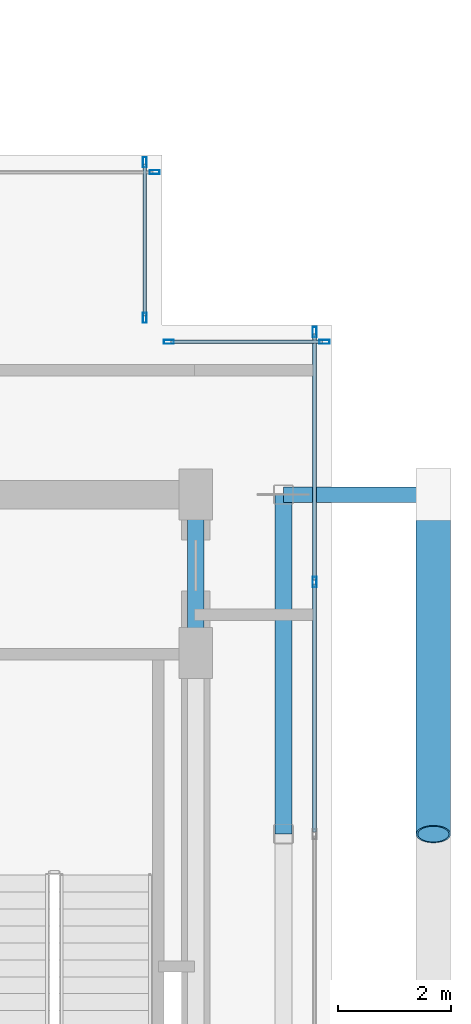
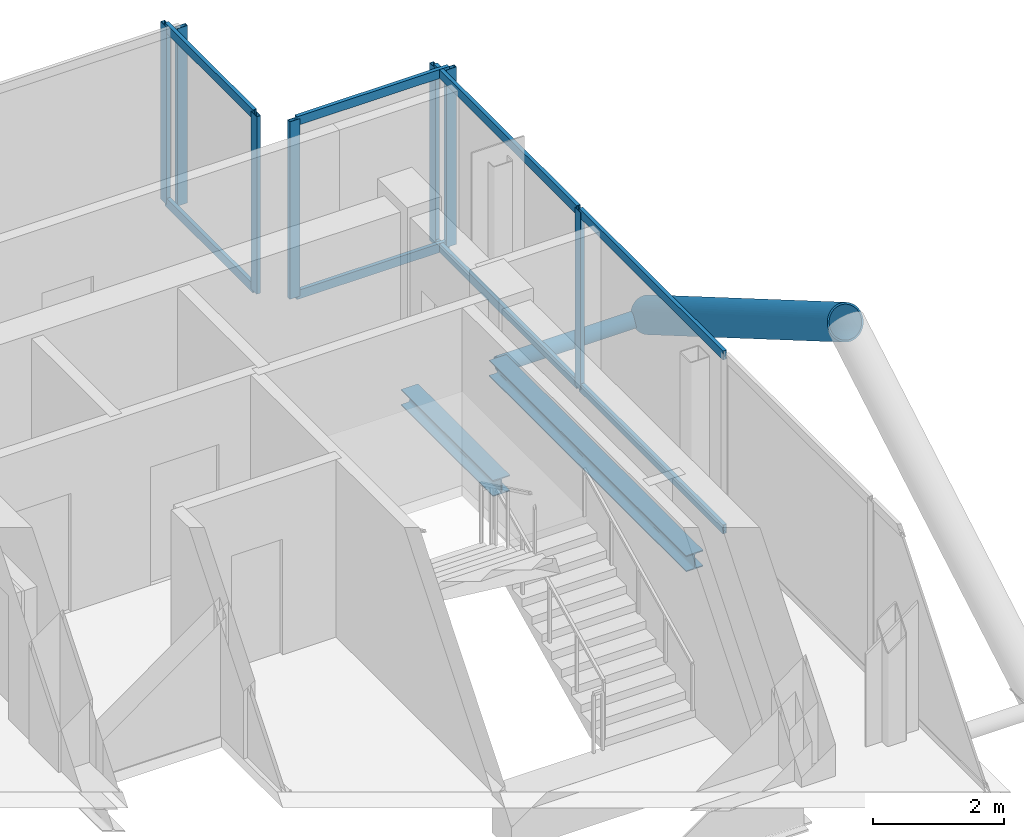
# One storey, part 12 of 18: 17 members, 2 beams, 4 elements without a shape of their own.
"""IFC4 building model written with IfcOpenShell, lengths in metres."""

from ifc_helpers import new_model, si_unit, direction, frame, origin, origin_2d, place, context, subcontext, project, spatial, hollow_rectangle, hollow_circle, i_section, extrude, material, layer, layer_set, material_profile, profile_set, type_object, element, aggregate, save


model = new_model("IFC4")

# Units and contexts
model_context = context("Model", 3, precision=1e-05, world=origin(), true_north=direction((0.0, 1.0)))
body_context = subcontext(model_context, "Body", "Model", "MODEL_VIEW")
ifc_project = project(units=[si_unit("LENGTHUNIT", "METRE"), si_unit("AREAUNIT", "SQUARE_METRE"), si_unit("VOLUMEUNIT", "CUBIC_METRE"), si_unit("PLANEANGLEUNIT", "RADIAN"), si_unit("MASSUNIT", "GRAM", prefix="KILO"), si_unit("THERMODYNAMICTEMPERATUREUNIT", "KELVIN"), si_unit("POWERUNIT", "WATT")], contexts=[model_context])

# Site, building, storey
site_placement = place(None, origin())
site = spatial("IfcSite", under=ifc_project, at=site_placement, CompositionType="ELEMENT")
building_placement = place(site_placement, origin())
building = spatial("IfcBuilding", under=site, at=building_placement, Name="Svarakhadi Broadcast Tower", CompositionType="ELEMENT")
storey_placement = place(building_placement, frame((0.0, 0.0, 250.199951171875)))
storey = spatial("IfcBuildingStorey", under=building, at=storey_placement, Name="L62", CompositionType="ELEMENT", Elevation=250.199951171875)

# Curtain wall, member
ifc_material_1 = material(Name="Anodised Bronze Aluminium AA 6063-T6", Category="aluminium")
ifc_layer = layer(ifc_material_1, 0.179931640625)
ifc_layer_set = layer_set([ifc_layer], Name="Anodised Bronze Aluminium AA 6063-T6")
curtain_wall_type = type_object("IfcCurtainWallType", Name="CW_Sys_05", PredefinedType="NOTDEFINED", material=ifc_layer_set)
curtain_wall_1_placement = place(storey_placement, origin())
curtain_wall_1 = element("IfcCurtainWall", 1, at=curtain_wall_1_placement, inside=storey, type_object=curtain_wall_type, Name="L62 Unitised Facade Curtain Wall 10", PredefinedType="NOTDEFINED")
ifc_material_profile_1 = material_profile(ifc_material_1, hollow_rectangle(XDim=0.070068359375, YDim=0.179931640625, WallThickness=0.005615234375, at=origin_2d()), Name="ALU MULLION 180x70x6")
ifc_profile_set_1 = profile_set([ifc_material_profile_1], Name="Anodised Bronze Aluminium AA 6063-T6")
member_type_1 = type_object("IfcMemberType", Name="CW_Sys_05_Mul", PredefinedType="MULLION", material=ifc_profile_set_1)
member_1_placement = place(storey_placement, frame((32.875, 23.699951171875, 0.0), z_axis=(0.0, 0.0, 1.0), x_axis=(0.0, 1.0, 0.0)))
member_1 = element("IfcMember", 2, at=member_1_placement, type_object=member_type_1, Name="CW-05 mullion 2", PredefinedType="MULLION", context=body_context, shape_type="SweptSolid", body=[
    extrude(hollow_rectangle(XDim=0.070068359375, YDim=0.179931640625, WallThickness=0.005615234375, at=origin_2d()), origin(), (0.0, 0.0, 1.0), 3.300048828125),
])
aggregate(curtain_wall_1, [member_1])

# Curtain wall, members
curtain_wall_2_placement = place(storey_placement, origin())
curtain_wall_2 = element("IfcCurtainWall", 3, at=curtain_wall_2_placement, inside=storey, type_object=curtain_wall_type, Name="L62 Unitised Facade Curtain Wall 11", PredefinedType="NOTDEFINED")
member_2_placement = place(storey_placement, frame((32.699951171875, 23.875, 0.0), z_axis=(0.0, 0.0, 1.0), x_axis=(1.0, 0.0, 0.0)))
member_2 = element("IfcMember", 4, at=member_2_placement, type_object=member_type_1, Name="CW-05 mullion 1", PredefinedType="MULLION", context=body_context, shape_type="SweptSolid", body=[
    extrude(hollow_rectangle(XDim=0.070068359375, YDim=0.179931640625, WallThickness=0.005615234375, at=origin_2d()), origin(), (0.0, 0.0, 1.0), 3.300048828125),
])
member_3_placement = place(storey_placement, frame((32.699951171875, 21.125, 0.0), z_axis=(0.0, 0.0, 1.0), x_axis=(1.0, 0.0, 0.0)))
member_3 = element("IfcMember", 5, at=member_3_placement, type_object=member_type_1, Name="CW-05 mullion 2", PredefinedType="MULLION", context=body_context, shape_type="SweptSolid", body=[
    extrude(hollow_rectangle(XDim=0.070068359375, YDim=0.179931640625, WallThickness=0.005615234375, at=origin_2d()), origin(), (0.0, 0.0, 1.0), 3.300048828125),
])

curtain_wall_3_placement = place(storey_placement, origin())
curtain_wall_3 = element("IfcCurtainWall", 6, at=curtain_wall_3_placement, inside=storey, type_object=curtain_wall_type, Name="L62 Unitised Facade Curtain Wall 12", PredefinedType="NOTDEFINED")
member_4_placement = place(storey_placement, frame((33.125, 20.699951171875, 0.0), z_axis=(0.0, 0.0, 1.0), x_axis=(0.0, 1.0, 0.0)))
member_4 = element("IfcMember", 7, at=member_4_placement, type_object=member_type_1, Name="CW-05 mullion 1", PredefinedType="MULLION", context=body_context, shape_type="SweptSolid", body=[
    extrude(hollow_rectangle(XDim=0.070068359375, YDim=0.179931640625, WallThickness=0.005615234375, at=origin_2d()), origin(), (0.0, 0.0, 1.0), 3.300048828125),
])
member_5_placement = place(storey_placement, frame((35.875, 20.699951171875, 0.0), z_axis=(0.0, 0.0, 1.0), x_axis=(0.0, 1.0, 0.0)))
member_5 = element("IfcMember", 8, at=member_5_placement, type_object=member_type_1, Name="CW-05 mullion 2", PredefinedType="MULLION", context=body_context, shape_type="SweptSolid", body=[
    extrude(hollow_rectangle(XDim=0.070068359375, YDim=0.179931640625, WallThickness=0.005615234375, at=origin_2d()), origin(), (0.0, 0.0, 1.0), 3.300048828125),
])

curtain_wall_4_placement = place(storey_placement, origin())
curtain_wall_4 = element("IfcCurtainWall", 9, at=curtain_wall_4_placement, inside=storey, type_object=curtain_wall_type, Name="L62 Unitised Facade Curtain Wall 13", PredefinedType="NOTDEFINED")
member_6_placement = place(storey_placement, frame((35.699951171875, 20.875, 0.0), z_axis=(0.0, 0.0, 1.0), x_axis=(1.0, 0.0, 0.0)))
member_6 = element("IfcMember", 10, at=member_6_placement, type_object=member_type_1, Name="CW-05 mullion 1", PredefinedType="MULLION", context=body_context, shape_type="SweptSolid", body=[
    extrude(hollow_rectangle(XDim=0.070068359375, YDim=0.179931640625, WallThickness=0.005615234375, at=origin_2d()), origin(), (0.0, 0.0, 1.0), 3.300048828125),
])
member_7_placement = place(storey_placement, frame((35.699951171875, 16.455078125, 0.0), z_axis=(0.0, 0.0, 1.0), x_axis=(1.0, 0.0, 0.0)))
member_7 = element("IfcMember", 11, at=member_7_placement, type_object=member_type_1, Name="CW-05 mullion 2", PredefinedType="MULLION", context=body_context, shape_type="SweptSolid", body=[
    extrude(hollow_rectangle(XDim=0.070068359375, YDim=0.179931640625, WallThickness=0.005615234375, at=origin_2d()), origin(), (0.0, 0.0, 1.0), 3.300048828125),
])

# Member
ifc_material_profile_2 = material_profile(ifc_material_1, hollow_rectangle(XDim=0.06494140625, YDim=0.1650390625, WallThickness=0.0048828125, at=origin_2d()), Name="ALU TRANSOM 165x65x5")
ifc_profile_set_2 = profile_set([ifc_material_profile_2], Name="Anodised Bronze Aluminium AA 6063-T6")
member_type_2 = type_object("IfcMemberType", Name="CW_Sys_05_Trn", PredefinedType="USERDEFINED", material=ifc_profile_set_2)
member_8_placement = place(storey_placement, frame((32.699951171875, 23.840087890625, 0.032470703125), z_axis=(0.0, -1.0, 0.0), x_axis=(1.0, 0.0, 0.0)))
member_8 = element("IfcMember", 12, at=member_8_placement, type_object=member_type_2, Name="CW-05 transom 1.1", ObjectType="TRANSOM", PredefinedType="USERDEFINED", context=body_context, shape_type="SweptSolid", body=[
    extrude(hollow_rectangle(XDim=0.06494140625, YDim=0.1650390625, WallThickness=0.0048828125, at=origin_2d()), origin(), (0.0, 0.0, 1.0), 2.68017578125),
])

member_9_placement = place(storey_placement, frame((32.699951171875, 23.840087890625, 3.267578125), z_axis=(0.0, -1.0, 0.0), x_axis=(1.0, 0.0, 0.0)))
member_9 = element("IfcMember", 13, at=member_9_placement, type_object=member_type_2, Name="CW-05 transom 1.2", ObjectType="TRANSOM", PredefinedType="USERDEFINED", context=body_context, shape_type="SweptSolid", body=[
    extrude(hollow_rectangle(XDim=0.06494140625, YDim=0.1650390625, WallThickness=0.0048828125, at=origin_2d()), origin(), (0.0, 0.0, 1.0), 2.68017578125),
])

aggregate(curtain_wall_2, [member_2, member_3, member_8, member_9])

member_10_placement = place(storey_placement, frame((33.159912109375, 20.699951171875, 0.032470703125), z_axis=(1.0, 0.0, 0.0), x_axis=(0.0, 1.0, 0.0)))
member_10 = element("IfcMember", 14, at=member_10_placement, type_object=member_type_2, Name="CW-05 transom 1.1", ObjectType="TRANSOM", PredefinedType="USERDEFINED", context=body_context, shape_type="SweptSolid", body=[
    extrude(hollow_rectangle(XDim=0.06494140625, YDim=0.1650390625, WallThickness=0.0048828125, at=origin_2d()), origin(), (0.0, 0.0, 1.0), 2.68017578125),
])

member_11_placement = place(storey_placement, frame((33.159912109375, 20.699951171875, 3.267578125), z_axis=(1.0, 0.0, 0.0), x_axis=(0.0, 1.0, 0.0)))
member_11 = element("IfcMember", 15, at=member_11_placement, type_object=member_type_2, Name="CW-05 transom 1.2", ObjectType="TRANSOM", PredefinedType="USERDEFINED", context=body_context, shape_type="SweptSolid", body=[
    extrude(hollow_rectangle(XDim=0.06494140625, YDim=0.1650390625, WallThickness=0.0048828125, at=origin_2d()), origin(), (0.0, 0.0, 1.0), 2.68017578125),
])

aggregate(curtain_wall_3, [member_4, member_5, member_10, member_11])

member_12_placement = place(storey_placement, frame((35.699951171875, 20.840087890625, 0.032470703125), z_axis=(0.0, -1.0, 0.0), x_axis=(1.0, 0.0, 0.0)))
member_12 = element("IfcMember", 16, at=member_12_placement, type_object=member_type_2, Name="CW-05 transom 1.1", ObjectType="TRANSOM", PredefinedType="USERDEFINED", context=body_context, shape_type="SweptSolid", body=[
    extrude(hollow_rectangle(XDim=0.06494140625, YDim=0.1650390625, WallThickness=0.0048828125, at=origin_2d()), origin(), (0.0, 0.0, 1.0), 4.35009765625),
])

member_13_placement = place(storey_placement, frame((35.699951171875, 20.840087890625, 3.267578125), z_axis=(0.0, -1.0, 0.0), x_axis=(1.0, 0.0, 0.0)))
member_13 = element("IfcMember", 17, at=member_13_placement, type_object=member_type_2, Name="CW-05 transom 1.2", ObjectType="TRANSOM", PredefinedType="USERDEFINED", context=body_context, shape_type="SweptSolid", body=[
    extrude(hollow_rectangle(XDim=0.06494140625, YDim=0.1650390625, WallThickness=0.0048828125, at=origin_2d()), origin(), (0.0, 0.0, 1.0), 4.35009765625),
])

member_14_placement = place(storey_placement, frame((35.699951171875, 16.419921875, 0.032470703125), z_axis=(0.0, -1.0, 0.0), x_axis=(1.0, 0.0, 0.0)))
member_14 = element("IfcMember", 18, at=member_14_placement, type_object=member_type_2, Name="CW-05 transom 2.1", ObjectType="TRANSOM", PredefinedType="USERDEFINED", context=body_context, shape_type="SweptSolid", body=[
    extrude(hollow_rectangle(XDim=0.06494140625, YDim=0.1650390625, WallThickness=0.0048828125, at=origin_2d()), origin(), (0.0, 0.0, 1.0), 4.385009765625),
])

member_15_placement = place(storey_placement, frame((35.699951171875, 16.419921875, 3.267578125), z_axis=(0.0, -1.0, 0.0), x_axis=(1.0, 0.0, 0.0)))
member_15 = element("IfcMember", 19, at=member_15_placement, type_object=member_type_2, Name="CW-05 transom 2.2", ObjectType="TRANSOM", PredefinedType="USERDEFINED", context=body_context, shape_type="SweptSolid", body=[
    extrude(hollow_rectangle(XDim=0.06494140625, YDim=0.1650390625, WallThickness=0.0048828125, at=origin_2d()), origin(), (0.0, 0.0, 1.0), 4.385009765625),
])

aggregate(curtain_wall_4, [member_6, member_7, member_12, member_13, member_14, member_15])

# Members
ifc_material_2 = material(Name="Steel S460ML (IS 2062 E450BR)", Category="steel")
ifc_material_profile_3 = material_profile(ifc_material_2, hollow_circle(Radius=0.304931640625, WallThickness=0.030029296875, at=origin_2d()), Name="CHS 610x30")
ifc_profile_set_3 = profile_set([ifc_material_profile_3], Name="Steel S460ML (IS 2062 E450BR)")
member_type_3 = type_object("IfcMemberType", Name="Exo_Brace_CHS610", PredefinedType="BRACE", material=ifc_profile_set_3)
member_16_placement = place(storey_placement, frame((37.800048828125, 18.0, -0.33642578125), z_axis=(0.0, -0.863778900898, 0.503871025524), x_axis=(1.0, 0.0, 0.0)))
element("IfcMember", 20, at=member_16_placement, inside=storey, type_object=member_type_3, Name="L62 Exposed Bronze Exoskeleton Diagonal E03", PredefinedType="BRACE", context=body_context, shape_type="SweptSolid", body=[
    extrude(hollow_circle(Radius=0.304931640625, WallThickness=0.030029296875, at=origin_2d()), origin(), (0.0, 0.0, 1.0), 6.9462890625),
])
ifc_material_profile_4 = material_profile(ifc_material_2, hollow_circle(Radius=0.136474609375, WallThickness=0.012451171875, at=origin_2d()), Name="CHS 273x12.5")
ifc_profile_set_4 = profile_set([ifc_material_profile_4], Name="Steel S460ML (IS 2062 E450BR)")
member_type_4 = type_object("IfcMemberType", Name="Exo_Radial_Strut_Z3", PredefinedType="STRUT", material=ifc_profile_set_4)
member_17_placement = place(storey_placement, frame((37.800048828125, 18.0, -0.33642578125), z_axis=(-1.0, 0.0, 0.0), x_axis=(0.0, -1.0, 0.0)))
element("IfcMember", 21, at=member_17_placement, inside=storey, type_object=member_type_4, Name="L62 Exoskeleton Radial Tie Strut E06", PredefinedType="STRUT", context=body_context, shape_type="SweptSolid", body=[
    extrude(hollow_circle(Radius=0.136474609375, WallThickness=0.012451171875, at=origin_2d()), origin(), (0.0, 0.0, 1.0), 2.650146484375),
])

# Beams
ifc_material_3 = material(Name="Steel S355J2 (IS 2062 E350C)", Category="steel")
ifc_material_profile_5 = material_profile(ifc_material_3, i_section(OverallWidth=0.300048828125, OverallDepth=0.300048828125, WebThickness=0.010986328125, FlangeThickness=0.01904296875, FilletRadius=0.027099609375, at=origin_2d()), Name="WPB 300x300x117")
ifc_profile_set_5 = profile_set([ifc_material_profile_5], Name="Steel S355J2 (IS 2062 E350C)")
beam_type = type_object("IfcBeamType", Name="Girder_WPB300", PredefinedType="USERDEFINED", material=ifc_profile_set_5)
beam_1_placement = place(storey_placement, frame((33.60009765625, 15.199951171875, -0.349853515625), z_axis=(0.0, 1.0, 0.0), x_axis=(-1.0, 0.0, 0.0)))
element("IfcBeam", 22, at=beam_1_placement, inside=storey, type_object=beam_type, Name="L62 Primary N-S Girder G044", ObjectType="GIRDER", PredefinedType="USERDEFINED", context=body_context, shape_type="SweptSolid", body=[
    extrude(i_section(OverallWidth=0.300048828125, OverallDepth=0.300048828125, WebThickness=0.010986328125, FlangeThickness=0.01904296875, FilletRadius=0.027099609375, at=origin_2d()), origin(), (0.0, 0.0, 1.0), 2.800048828125),
])
beam_2_placement = place(storey_placement, frame((35.14990234375, 12.0, -0.349853515625), z_axis=(0.0, 1.0, 0.0), x_axis=(-1.0, 0.0, 0.0)))
element("IfcBeam", 23, at=beam_2_placement, inside=storey, type_object=beam_type, Name="L62 Primary N-S Girder G046", ObjectType="GIRDER", PredefinedType="USERDEFINED", context=body_context, shape_type="SweptSolid", body=[
    extrude(i_section(OverallWidth=0.300048828125, OverallDepth=0.300048828125, WebThickness=0.010986328125, FlangeThickness=0.01904296875, FilletRadius=0.027099609375, at=origin_2d()), origin(), (0.0, 0.0, 1.0), 6.0),
])

save(model, "model.ifc")
